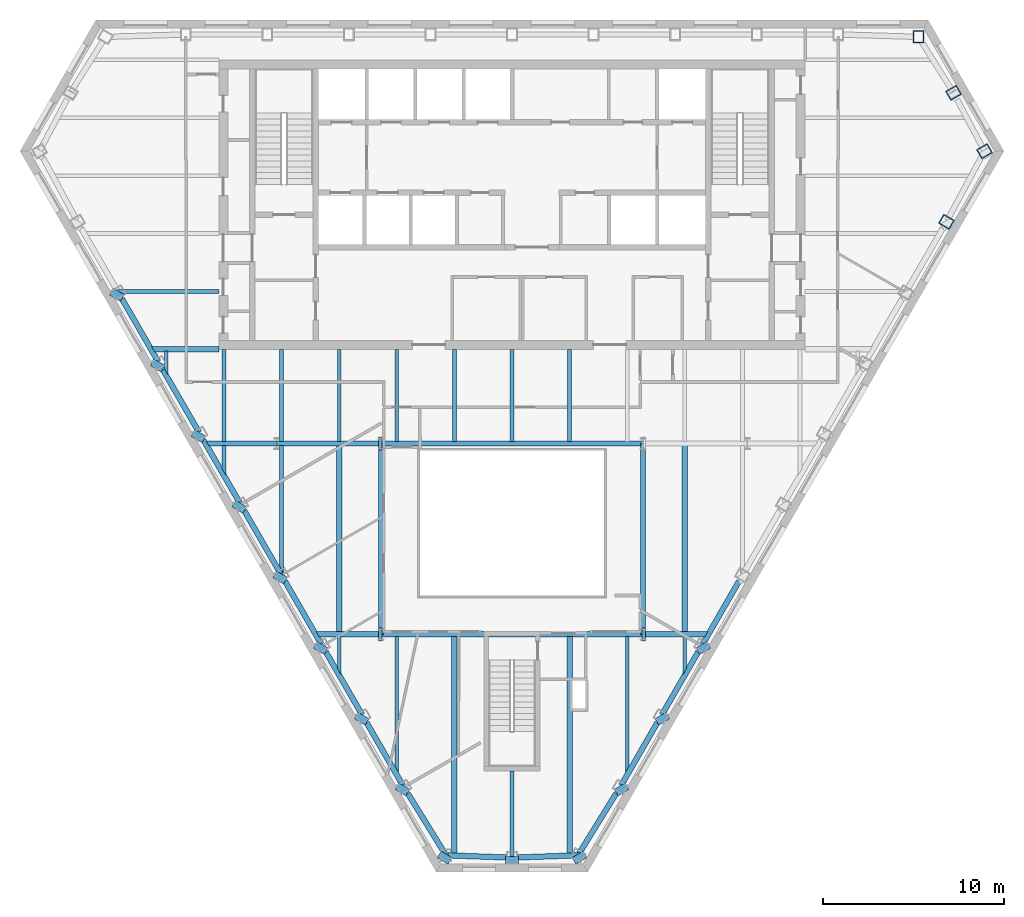
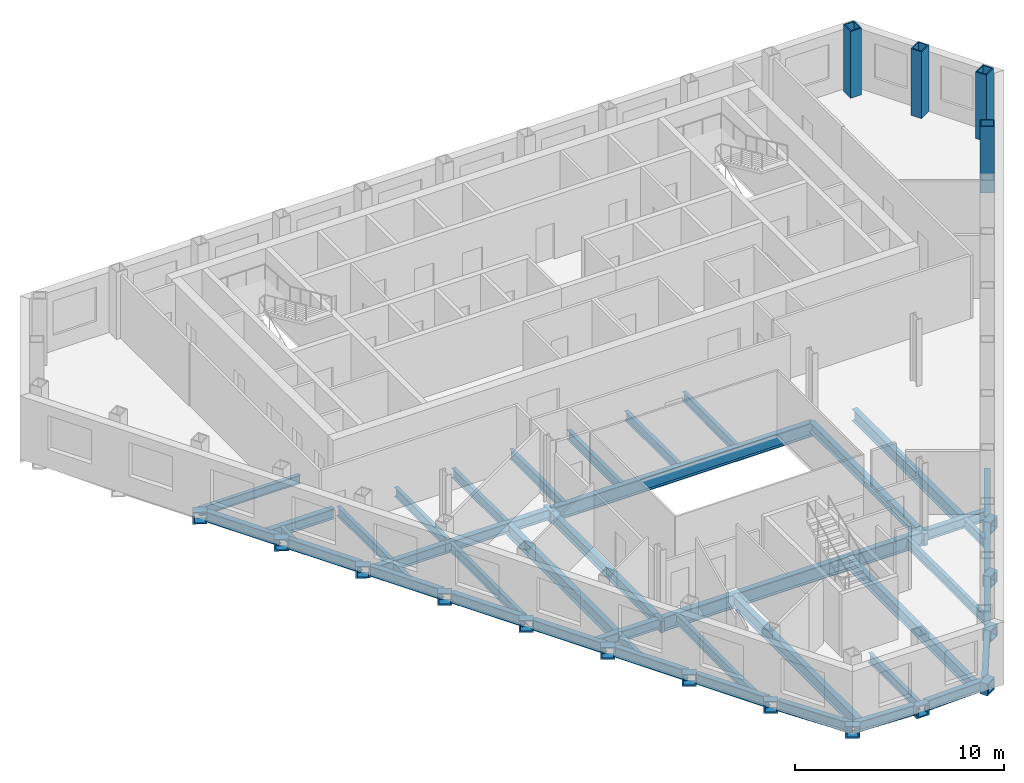
# One storey, part 2 of 11: 60 beams, 4 columns.
"""IFC4 building model written with IfcOpenShell, lengths in metres."""

from ifc_helpers import new_model, si_unit, direction, frame, origin, origin_2d, place, context, subcontext, project, spatial, hollow_rectangle, i_section, extrude, clip, halfspace, material, material_profile, profile_set, type_object, element, save


model = new_model("IFC4")

# Units and contexts
model_context = context("Model", 3, precision=1e-05, world=origin(), true_north=direction((0.0, 1.0)))
body_context = subcontext(model_context, "Body", "Model", "MODEL_VIEW")
ifc_project = project(units=[si_unit("LENGTHUNIT", "METRE"), si_unit("AREAUNIT", "SQUARE_METRE"), si_unit("VOLUMEUNIT", "CUBIC_METRE"), si_unit("PLANEANGLEUNIT", "RADIAN"), si_unit("MASSUNIT", "GRAM", prefix="KILO")], contexts=[model_context])

# Site, building, storey
site_placement = place(None, origin())
site = spatial("IfcSite", under=ifc_project, at=site_placement, CompositionType="ELEMENT")
building_placement = place(site_placement, origin())
building = spatial("IfcBuilding", under=site, at=building_placement, Name="Njiva Tower", CompositionType="ELEMENT")
storey_placement = place(building_placement, frame((0.0, 0.0, 163.2)))
storey = spatial("IfcBuildingStorey", under=building, at=storey_placement, Name="L35", CompositionType="ELEMENT", Elevation=163.2)

# Columns
ifc_material = material(Name="Steel S355 J2", Category="steel")
ifc_material_profile_1 = material_profile(ifc_material, hollow_rectangle(XDim=0.6, YDim=0.7, WallThickness=0.06, at=origin_2d()), Name="BOX 700x600x60")
ifc_profile_set_1 = profile_set([ifc_material_profile_1], Name="Steel S355 J2")
column_type = type_object("IfcColumnType", Name="C9 Perimeter tube column BOX 700x600x60", PredefinedType="COLUMN", material=ifc_profile_set_1)
for number, where, z_axis, x_axis, name in (
    (1, (22.461, 19.267, 0.0), (0.0, 0.0, 1.0), (-1.0, 0.0, 0.0), "Perimeter tube column S12-C01"),
    (2, (24.007, 9.048, 0.0), (0.0, 0.0, 1.0), (0.5, 0.866025403784, 0.0), "Perimeter tube column S12-C34"),
    (3, (26.108, 12.951, 0.0), (0.0, 0.0, 1.0), (-0.5, 0.866025403784, 0.0), "Perimeter tube column S12-C35"),
    (4, (24.4, 16.176, 0.0), (0.0, 0.0, 1.0), (-0.5, 0.866025403784, 0.0), "Perimeter tube column S12-C36"),
):
    element("IfcColumn", number, at=place(storey_placement, frame(where, z_axis=z_axis, x_axis=x_axis)), inside=storey, type_object=column_type, Name=name, PredefinedType="COLUMN", context=body_context, shape_type="SweptSolid", body=[
        extrude(hollow_rectangle(XDim=0.6, YDim=0.7, WallThickness=0.06, at=origin_2d()), origin(), (0.0, 0.0, 1.0), 3.9),
    ])

# Beams
ifc_material_profile_2 = material_profile(ifc_material, i_section(OverallWidth=0.3, OverallDepth=0.69, WebThickness=0.0145, FlangeThickness=0.027, at=origin_2d()), Name="HEA 700")
ifc_profile_set_2 = profile_set([ifc_material_profile_2], Name="Steel S355 J2")
beam_type_1 = type_object("IfcBeamType", Name="B12 Long-span floor joist HEA 700", PredefinedType="JOIST", material=ifc_profile_set_2)
beam_1_placement = place(storey_placement, frame((-9.55, -3.3, -0.545), z_axis=(0.0, -1.0, 0.0), x_axis=(1.0, 0.0, 0.0)))
element("IfcBeam", 5, at=beam_1_placement, inside=storey, type_object=beam_type_1, Name="Long-span floor joist S12-B057", PredefinedType="JOIST", context=body_context, shape_type="SweptSolid", body=[
    extrude(i_section(OverallWidth=0.3, OverallDepth=0.69, WebThickness=0.0145, FlangeThickness=0.027, at=origin_2d()), origin(), (0.0, 0.0, 1.0), 10.35),
])
for number, where, z_axis, x_axis, name in (
    (6, (-3.183, -13.851, -0.545), (0.0, -1.0, 0.0), (1.0, 0.0, 0.0), "Long-span floor joist S12-B061"),
    (7, (3.183, -13.851, -0.545), (0.0, -1.0, 0.0), (1.0, 0.0, 0.0), "Long-span floor joist S12-B066"),
):
    element("IfcBeam", number, at=place(storey_placement, frame(where, z_axis=z_axis, x_axis=x_axis)), inside=storey, type_object=beam_type_1, Name=name, PredefinedType="JOIST", context=body_context, shape_type="SweptSolid", body=[
        extrude(i_section(OverallWidth=0.3, OverallDepth=0.69, WebThickness=0.0145, FlangeThickness=0.027, at=origin_2d()), origin(), (0.0, 0.0, 1.0), 12.016),
    ])
beam_2_placement = place(storey_placement, frame((9.55, -3.3, -0.545), z_axis=(0.0, -1.0, 0.0), x_axis=(1.0, 0.0, 0.0)))
element("IfcBeam", 8, at=beam_2_placement, inside=storey, type_object=beam_type_1, Name="Long-span floor joist S12-B071", PredefinedType="JOIST", context=body_context, shape_type="SweptSolid", body=[
    extrude(i_section(OverallWidth=0.3, OverallDepth=0.69, WebThickness=0.0145, FlangeThickness=0.027, at=origin_2d()), origin(), (0.0, 0.0, 1.0), 10.35),
])
ifc_material_profile_3 = material_profile(ifc_material, hollow_rectangle(XDim=0.7, YDim=0.7, WallThickness=0.08, at=origin_2d()), Name="BOX 700x700x80")
ifc_profile_set_3 = profile_set([ifc_material_profile_3], Name="Steel S355 J2")
beam_type_2 = type_object("IfcBeamType", Name="B19 Column jog beam BOX 700x700x80", PredefinedType="BEAM", material=ifc_profile_set_3)
beam_3_placement = place(storey_placement, frame((-21.935, 4.825, -0.55), z_axis=(0.49437165503, 0.869250635147, 0.0), x_axis=(-0.869250635147, 0.49437165503, 0.0)))
element("IfcBeam", 9, at=beam_3_placement, inside=storey, type_object=beam_type_2, Name="Column jog beam S12-B024", PredefinedType="BEAM", context=body_context, shape_type="SweptSolid", body=[
    extrude(hollow_rectangle(XDim=0.7, YDim=0.7, WallThickness=0.08, at=origin_2d()), origin(), (0.0, 0.0, 1.0), 0.4268),
])
beam_4_placement = place(storey_placement, frame((-19.681, 0.922, -0.55), z_axis=(0.495380237546, 0.868676245933, 0.0), x_axis=(-0.868676245933, 0.495380237546, 0.0)))
element("IfcBeam", 10, at=beam_4_placement, inside=storey, type_object=beam_type_2, Name="Column jog beam S12-B025", PredefinedType="BEAM", context=body_context, shape_type="SweptSolid", body=[
    extrude(hollow_rectangle(XDim=0.7, YDim=0.7, WallThickness=0.08, at=origin_2d()), origin(), (0.0, 0.0, 1.0), 0.4259),
])
beam_5_placement = place(storey_placement, frame((-17.428, -2.981, -0.55), z_axis=(0.498162050838, 0.867083946977, 0.0), x_axis=(-0.867083946977, 0.498162050838, 0.0)))
element("IfcBeam", 11, at=beam_5_placement, inside=storey, type_object=beam_type_2, Name="Column jog beam S12-B026", PredefinedType="BEAM", context=body_context, shape_type="SweptSolid", body=[
    extrude(hollow_rectangle(XDim=0.7, YDim=0.7, WallThickness=0.08, at=origin_2d()), origin(), (0.0, 0.0, 1.0), 0.4256),
])
beam_6_placement = place(storey_placement, frame((-15.175, -6.883, -0.55), z_axis=(0.500943559977, 0.865479953388, 0.0), x_axis=(-0.865479953388, 0.500943559977, 0.0)))
element("IfcBeam", 12, at=beam_6_placement, inside=storey, type_object=beam_type_2, Name="Column jog beam S12-B027", PredefinedType="BEAM", context=body_context, shape_type="SweptSolid", body=[
    extrude(hollow_rectangle(XDim=0.7, YDim=0.7, WallThickness=0.08, at=origin_2d()), origin(), (0.0, 0.0, 1.0), 0.4252),
])
beam_7_placement = place(storey_placement, frame((-12.921, -10.786, -0.55), z_axis=(0.501964949025, 0.864887963814, 0.0), x_axis=(-0.864887963814, 0.501964949025, 0.0)))
element("IfcBeam", 13, at=beam_7_placement, inside=storey, type_object=beam_type_2, Name="Column jog beam S12-B028", PredefinedType="BEAM", context=body_context, shape_type="SweptSolid", body=[
    extrude(hollow_rectangle(XDim=0.7, YDim=0.7, WallThickness=0.08, at=origin_2d()), origin(), (0.0, 0.0, 1.0), 0.4243),
])
beam_8_placement = place(storey_placement, frame((-10.668, -14.689, -0.55), z_axis=(0.502989806353, 0.86429234331, 0.0), x_axis=(-0.86429234331, 0.502989806353, 0.0)))
element("IfcBeam", 14, at=beam_8_placement, inside=storey, type_object=beam_type_2, Name="Column jog beam S12-B029", PredefinedType="BEAM", context=body_context, shape_type="SweptSolid", body=[
    extrude(hollow_rectangle(XDim=0.7, YDim=0.7, WallThickness=0.08, at=origin_2d()), origin(), (0.0, 0.0, 1.0), 0.4235),
])
beam_9_placement = place(storey_placement, frame((-8.415, -18.592, -0.55), z_axis=(0.504750674229, 0.863265171813, 0.0), x_axis=(-0.863265171813, 0.504750674229, 0.0)))
element("IfcBeam", 15, at=beam_9_placement, inside=storey, type_object=beam_type_2, Name="Column jog beam S12-B030", PredefinedType="BEAM", context=body_context, shape_type="SweptSolid", body=[
    extrude(hollow_rectangle(XDim=0.7, YDim=0.7, WallThickness=0.08, at=origin_2d()), origin(), (0.0, 0.0, 1.0), 0.424),
])
beam_10_placement = place(storey_placement, frame((-6.161, -22.495, -0.55), z_axis=(0.505780153596, 0.862662411508, 0.0), x_axis=(-0.862662411508, 0.505780153596, 0.0)))
element("IfcBeam", 16, at=beam_10_placement, inside=storey, type_object=beam_type_2, Name="Column jog beam S12-B033", PredefinedType="BEAM", context=body_context, shape_type="SweptSolid", body=[
    extrude(hollow_rectangle(XDim=0.7, YDim=0.7, WallThickness=0.08, at=origin_2d()), origin(), (0.0, 0.0, 1.0), 0.4231),
])
beam_11_placement = place(storey_placement, frame((-3.832, -26.263, -0.55), z_axis=(0.515193868747, 0.857073671049, 0.0), x_axis=(-0.857073671049, 0.515193868747, 0.0)))
element("IfcBeam", 17, at=beam_11_placement, inside=storey, type_object=beam_type_2, Name="Column jog beam S12-B034", PredefinedType="BEAM", context=body_context, shape_type="SweptSolid", body=[
    extrude(hollow_rectangle(XDim=0.7, YDim=0.7, WallThickness=0.08, at=origin_2d()), origin(), (0.0, 0.0, 1.0), 0.4212),
])
beam_12_placement = place(storey_placement, frame((0.0, -26.406, -0.55), z_axis=(0.0, 1.0, 0.0), x_axis=(-1.0, 0.0, 0.0)))
element("IfcBeam", 18, at=beam_12_placement, inside=storey, type_object=beam_type_2, Name="Column jog beam S12-B035", PredefinedType="BEAM", context=body_context, shape_type="SweptSolid", body=[
    extrude(hollow_rectangle(XDim=0.7, YDim=0.7, WallThickness=0.08, at=origin_2d()), origin(), (0.0, 0.0, 1.0), 0.38),
])
beam_13_placement = place(storey_placement, frame((3.832, -26.263, -0.55), z_axis=(-0.515193868747, 0.857073671049, 0.0), x_axis=(-0.857073671049, -0.515193868747, 0.0)))
element("IfcBeam", 19, at=beam_13_placement, inside=storey, type_object=beam_type_2, Name="Column jog beam S12-B036", PredefinedType="BEAM", context=body_context, shape_type="SweptSolid", body=[
    extrude(hollow_rectangle(XDim=0.7, YDim=0.7, WallThickness=0.08, at=origin_2d()), origin(), (0.0, 0.0, 1.0), 0.4212),
])
beam_14_placement = place(storey_placement, frame((6.161, -22.495, -0.55), z_axis=(-0.505780153596, 0.862662411508, 0.0), x_axis=(-0.862662411508, -0.505780153596, 0.0)))
element("IfcBeam", 20, at=beam_14_placement, inside=storey, type_object=beam_type_2, Name="Column jog beam S12-B037", PredefinedType="BEAM", context=body_context, shape_type="SweptSolid", body=[
    extrude(hollow_rectangle(XDim=0.7, YDim=0.7, WallThickness=0.08, at=origin_2d()), origin(), (0.0, 0.0, 1.0), 0.4231),
])
beam_15_placement = place(storey_placement, frame((8.415, -18.592, -0.55), z_axis=(-0.504750674229, 0.863265171813, 0.0), x_axis=(-0.863265171813, -0.504750674229, 0.0)))
element("IfcBeam", 21, at=beam_15_placement, inside=storey, type_object=beam_type_2, Name="Column jog beam S12-B040", PredefinedType="BEAM", context=body_context, shape_type="SweptSolid", body=[
    extrude(hollow_rectangle(XDim=0.7, YDim=0.7, WallThickness=0.08, at=origin_2d()), origin(), (0.0, 0.0, 1.0), 0.424),
])
beam_16_placement = place(storey_placement, frame((10.668, -14.689, -0.55), z_axis=(-0.502989806353, 0.86429234331, 0.0), x_axis=(-0.86429234331, -0.502989806353, 0.0)))
element("IfcBeam", 22, at=beam_16_placement, inside=storey, type_object=beam_type_2, Name="Column jog beam S12-B041", PredefinedType="BEAM", context=body_context, shape_type="SweptSolid", body=[
    extrude(hollow_rectangle(XDim=0.7, YDim=0.7, WallThickness=0.08, at=origin_2d()), origin(), (0.0, 0.0, 1.0), 0.4235),
])
for number, where, z_axis, x_axis, name in (
    (23, (-7.38, -3.2, -0.55), (1.0, 0.0, 0.0), (0.0, 1.0, 0.0), "Column jog beam S12-B032"),
    (24, (7.38, -13.75, -0.55), (-1.0, 0.0, 0.0), (0.0, -1.0, 0.0), "Column jog beam S12-B038"),
    (25, (-7.38, -13.75, -0.55), (1.0, 0.0, 0.0), (0.0, 1.0, 0.0), "Column jog beam S12-B031"),
):
    element("IfcBeam", number, at=place(storey_placement, frame(where, z_axis=z_axis, x_axis=x_axis)), inside=storey, type_object=beam_type_2, Name=name, PredefinedType="BEAM", context=body_context, shape_type="SweptSolid", body=[
        extrude(hollow_rectangle(XDim=0.7, YDim=0.7, WallThickness=0.08, at=origin_2d()), origin(), (0.0, 0.0, 1.0), 0.2),
    ])
ifc_material_profile_4 = material_profile(ifc_material, i_section(OverallWidth=0.2, OverallDepth=0.5, WebThickness=0.0102, FlangeThickness=0.016, at=origin_2d()), Name="IPE 500")
ifc_profile_set_4 = profile_set([ifc_material_profile_4], Name="Steel S355 J2")
beam_type_3 = type_object("IfcBeamType", Name="B24 Floor beam to the core IPE 500", PredefinedType="BEAM", material=ifc_profile_set_4)
beam_17_placement = place(storey_placement, frame((-21.823, 5.2, -0.45), z_axis=(1.0, 0.0, 0.0), x_axis=(0.0, 1.0, 0.0)))
element("IfcBeam", 26, at=beam_17_placement, inside=storey, type_object=beam_type_3, Name="Floor beam to the core S12-B005", PredefinedType="BEAM", context=body_context, shape_type="Clipping", body=[
    clip(extrude(i_section(OverallWidth=0.2, OverallDepth=0.5, WebThickness=0.0102, FlangeThickness=0.016, at=origin_2d()), origin(), (0.0, 0.0, 1.0), 5.623), halfspace(frame((-0.025, 0.0, 0.0924), z_axis=(-0.499998009787, 0.0, -0.866026552831), x_axis=(0.0, -1.0, 0.0)), False)),
])
ifc_material_profile_5 = material_profile(ifc_material, i_section(OverallWidth=0.3, OverallDepth=0.59, WebThickness=0.013, FlangeThickness=0.025, at=origin_2d()), Name="HEA 600")
ifc_profile_set_5 = profile_set([ifc_material_profile_5], Name="Steel S355 J2")
beam_type_4 = type_object("IfcBeamType", Name="B27 Short-span spandrel beam HEA 600", PredefinedType="SPANDREL", material=ifc_profile_set_5)
beam_18_placement = place(storey_placement, frame((-21.551, 4.793, -0.495), z_axis=(0.500003221507, -0.866023543838, 0.0), x_axis=(0.866023543838, 0.500003221507, 0.0)))
element("IfcBeam", 27, at=beam_18_placement, inside=storey, type_object=beam_type_4, Name="Short-span spandrel beam S12-B096", PredefinedType="SPANDREL", context=body_context, shape_type="SweptSolid", body=[
    extrude(i_section(OverallWidth=0.3, OverallDepth=0.59, WebThickness=0.013, FlangeThickness=0.025, at=origin_2d()), origin(), (0.0, 0.0, 1.0), 4.008),
])
beam_19_placement = place(storey_placement, frame((-19.297, 0.89, -0.495), z_axis=(0.499924104568, -0.866069217599, 0.0), x_axis=(0.866069217599, 0.499924104568, 0.0)))
element("IfcBeam", 28, at=beam_19_placement, inside=storey, type_object=beam_type_4, Name="Short-span spandrel beam S12-B098", PredefinedType="SPANDREL", context=body_context, shape_type="SweptSolid", body=[
    extrude(i_section(OverallWidth=0.3, OverallDepth=0.59, WebThickness=0.013, FlangeThickness=0.025, at=origin_2d()), origin(), (0.0, 0.0, 1.0), 4.0066),
])
beam_20_placement = place(storey_placement, frame((-17.044, -3.013, -0.495), z_axis=(0.500032187732, -0.866006819391, 0.0), x_axis=(0.866006819391, 0.500032187732, 0.0)))
element("IfcBeam", 29, at=beam_20_placement, inside=storey, type_object=beam_type_4, Name="Short-span spandrel beam S12-B101", PredefinedType="SPANDREL", context=body_context, shape_type="SweptSolid", body=[
    extrude(i_section(OverallWidth=0.3, OverallDepth=0.59, WebThickness=0.013, FlangeThickness=0.025, at=origin_2d()), origin(), (0.0, 0.0, 1.0), 4.0057),
])
beam_21_placement = place(storey_placement, frame((-14.791, -6.915, -0.495), z_axis=(0.499816060339, -0.866131575355, 0.0), x_axis=(0.866131575355, 0.499816060339, 0.0)))
element("IfcBeam", 30, at=beam_21_placement, inside=storey, type_object=beam_type_4, Name="Short-span spandrel beam S12-B103", PredefinedType="SPANDREL", context=body_context, shape_type="SweptSolid", body=[
    extrude(i_section(OverallWidth=0.3, OverallDepth=0.59, WebThickness=0.013, FlangeThickness=0.025, at=origin_2d()), origin(), (0.0, 0.0, 1.0), 4.0075),
])
beam_22_placement = place(storey_placement, frame((-12.538, -10.819, -0.495), z_axis=(0.500219375865, -0.865898710017, 0.0), x_axis=(0.865898710017, 0.500219375865, 0.0)))
element("IfcBeam", 31, at=beam_22_placement, inside=storey, type_object=beam_type_4, Name="Short-span spandrel beam S12-B106", PredefinedType="SPANDREL", context=body_context, shape_type="SweptSolid", body=[
    extrude(i_section(OverallWidth=0.3, OverallDepth=0.59, WebThickness=0.013, FlangeThickness=0.025, at=origin_2d()), origin(), (0.0, 0.0, 1.0), 4.0062),
])
beam_23_placement = place(storey_placement, frame((-10.284, -14.721, -0.495), z_axis=(0.499924104568, -0.866069217599, 0.0), x_axis=(0.866069217599, 0.499924104568, 0.0)))
element("IfcBeam", 32, at=beam_23_placement, inside=storey, type_object=beam_type_4, Name="Short-span spandrel beam S12-B108", PredefinedType="SPANDREL", context=body_context, shape_type="SweptSolid", body=[
    extrude(i_section(OverallWidth=0.3, OverallDepth=0.59, WebThickness=0.013, FlangeThickness=0.025, at=origin_2d()), origin(), (0.0, 0.0, 1.0), 4.0066),
])
beam_24_placement = place(storey_placement, frame((-8.031, -18.624, -0.495), z_axis=(0.500003221507, -0.866023543838, 0.0), x_axis=(0.866023543838, 0.500003221507, 0.0)))
element("IfcBeam", 33, at=beam_24_placement, inside=storey, type_object=beam_type_4, Name="Short-span spandrel beam S12-B112", PredefinedType="SPANDREL", context=body_context, shape_type="SweptSolid", body=[
    extrude(i_section(OverallWidth=0.3, OverallDepth=0.59, WebThickness=0.013, FlangeThickness=0.025, at=origin_2d()), origin(), (0.0, 0.0, 1.0), 4.008),
])
beam_25_placement = place(storey_placement, frame((-5.766, -22.523, -0.495), z_axis=(0.525818795856, -0.850596610576, 0.0), x_axis=(0.850596610576, 0.525818795856, 0.0)))
element("IfcBeam", 34, at=beam_25_placement, inside=storey, type_object=beam_type_4, Name="Short-span spandrel beam S12-B114", PredefinedType="SPANDREL", context=body_context, shape_type="Clipping", body=[
    clip(extrude(i_section(OverallWidth=0.3, OverallDepth=0.59, WebThickness=0.013, FlangeThickness=0.025, at=origin_2d()), origin(), (0.0, 0.0, 1.0), 4.0973), halfspace(frame((-0.0266, 0.0, 3.9678), z_axis=(-0.525818795856, 0.0, 0.850596610576), x_axis=(0.0, 1.0, 0.0)), False)),
])
beam_26_placement = place(storey_placement, frame((-3.546, -25.956, -0.495), z_axis=(0.99932600866, -0.036708696736, 0.0), x_axis=(0.036708696736, 0.99932600866, 0.0)))
element("IfcBeam", 35, at=beam_26_placement, inside=storey, type_object=beam_type_4, Name="Short-span spandrel beam S12-B116", PredefinedType="SPANDREL", context=body_context, shape_type="SweptSolid", body=[
    extrude(i_section(OverallWidth=0.3, OverallDepth=0.59, WebThickness=0.013, FlangeThickness=0.025, at=origin_2d()), origin(), (0.0, 0.0, 1.0), 3.2962),
])
beam_27_placement = place(storey_placement, frame((0.252, -26.077, -0.495), z_axis=(0.999327034498, 0.036680759547, 0.0), x_axis=(-0.036680759547, 0.999327034498, 0.0)))
element("IfcBeam", 36, at=beam_27_placement, inside=storey, type_object=beam_type_4, Name="Short-span spandrel beam S12-B119", PredefinedType="SPANDREL", context=body_context, shape_type="Clipping", body=[
    clip(extrude(i_section(OverallWidth=0.3, OverallDepth=0.59, WebThickness=0.013, FlangeThickness=0.025, at=origin_2d()), origin(), (0.0, 0.0, 1.0), 3.4673), halfspace(frame((-0.0268, 0.0, 3.337), z_axis=(-0.531428040121, 0.0, 0.847103440067), x_axis=(0.0, 1.0, 0.0)), False)),
])
beam_28_placement = place(storey_placement, frame((3.702, -25.862, -0.495), z_axis=(0.525801990436, 0.850606999062, 0.0), x_axis=(-0.850606999062, 0.525801990436, 0.0)))
element("IfcBeam", 37, at=beam_28_placement, inside=storey, type_object=beam_type_4, Name="Short-span spandrel beam S12-B121", PredefinedType="SPANDREL", context=body_context, shape_type="SweptSolid", body=[
    extrude(i_section(OverallWidth=0.3, OverallDepth=0.59, WebThickness=0.013, FlangeThickness=0.025, at=origin_2d()), origin(), (0.0, 0.0, 1.0), 3.9254),
])
beam_29_placement = place(storey_placement, frame((6.027, -22.095, -0.495), z_axis=(0.500003221507, 0.866023543838, 0.0), x_axis=(-0.866023543838, 0.500003221507, 0.0)))
element("IfcBeam", 38, at=beam_29_placement, inside=storey, type_object=beam_type_4, Name="Short-span spandrel beam S12-B125", PredefinedType="SPANDREL", context=body_context, shape_type="SweptSolid", body=[
    extrude(i_section(OverallWidth=0.3, OverallDepth=0.59, WebThickness=0.013, FlangeThickness=0.025, at=origin_2d()), origin(), (0.0, 0.0, 1.0), 4.008),
])
beam_30_placement = place(storey_placement, frame((8.281, -18.191, -0.495), z_axis=(0.499924104568, 0.866069217599, 0.0), x_axis=(-0.866069217599, 0.499924104568, 0.0)))
element("IfcBeam", 39, at=beam_30_placement, inside=storey, type_object=beam_type_4, Name="Short-span spandrel beam S12-B127", PredefinedType="SPANDREL", context=body_context, shape_type="SweptSolid", body=[
    extrude(i_section(OverallWidth=0.3, OverallDepth=0.59, WebThickness=0.013, FlangeThickness=0.025, at=origin_2d()), origin(), (0.0, 0.0, 1.0), 4.0066),
])
beam_31_placement = place(storey_placement, frame((10.534, -14.288, -0.495), z_axis=(0.500219375865, 0.865898710017, 0.0), x_axis=(-0.865898710017, 0.500219375865, 0.0)))
element("IfcBeam", 40, at=beam_31_placement, inside=storey, type_object=beam_type_4, Name="Short-span spandrel beam S12-B130", PredefinedType="SPANDREL", context=body_context, shape_type="SweptSolid", body=[
    extrude(i_section(OverallWidth=0.3, OverallDepth=0.59, WebThickness=0.013, FlangeThickness=0.025, at=origin_2d()), origin(), (0.0, 0.0, 1.0), 4.0062),
])
ifc_material_profile_6 = material_profile(ifc_material, i_section(OverallWidth=0.3, OverallDepth=0.59, WebThickness=0.013, FlangeThickness=0.025, at=origin_2d()), Name="HEA 600")
ifc_profile_set_6 = profile_set([ifc_material_profile_6], Name="Steel S355 J2")
beam_type_5 = type_object("IfcBeamType", Name="B28 Floor girder HEA 600", PredefinedType="BEAM", material=ifc_profile_set_6)
beam_32_placement = place(storey_placement, frame((-13.0, -3.2, -0.495), z_axis=(1.0, 0.0, 0.0), x_axis=(0.0, 1.0, 0.0)))
element("IfcBeam", 41, at=beam_32_placement, inside=storey, type_object=beam_type_5, Name="Floor girder S12-B015", PredefinedType="BEAM", context=body_context, shape_type="SweptSolid", body=[
    extrude(i_section(OverallWidth=0.3, OverallDepth=0.59, WebThickness=0.013, FlangeThickness=0.025, at=origin_2d()), origin(), (0.0, 0.0, 1.0), 5.76),
])
ifc_material_profile_7 = material_profile(ifc_material, i_section(OverallWidth=0.3, OverallDepth=0.59, WebThickness=0.013, FlangeThickness=0.025, at=origin_2d()), Name="HEA 600")
ifc_profile_set_7 = profile_set([ifc_material_profile_7], Name="Steel S355 J2")
beam_type_6 = type_object("IfcBeamType", Name="B29 Short-span floor girder HEA 600", PredefinedType="BEAM", material=ifc_profile_set_7)
beam_33_placement = place(storey_placement, frame((-16.928, -3.2, -0.495), z_axis=(1.0, 0.0, 0.0), x_axis=(0.0, 1.0, 0.0)))
element("IfcBeam", 42, at=beam_33_placement, inside=storey, type_object=beam_type_6, Name="Short-span floor girder S12-B014", PredefinedType="BEAM", context=body_context, shape_type="Clipping", body=[
    clip(extrude(i_section(OverallWidth=0.3, OverallDepth=0.59, WebThickness=0.013, FlangeThickness=0.025, at=origin_2d()), origin(), (0.0, 0.0, 1.0), 3.928), halfspace(frame((-0.025, 0.0, 0.1217), z_axis=(-0.499998009787, 0.0, -0.866026552831), x_axis=(0.0, -1.0, 0.0)), False)),
])
beam_34_placement = place(storey_placement, frame((-10.837, -13.75, -0.495), z_axis=(1.0, 0.0, 0.0), x_axis=(0.0, 1.0, 0.0)))
element("IfcBeam", 43, at=beam_34_placement, inside=storey, type_object=beam_type_6, Name="Short-span floor girder S12-B016", PredefinedType="BEAM", context=body_context, shape_type="Clipping", body=[
    clip(extrude(i_section(OverallWidth=0.3, OverallDepth=0.59, WebThickness=0.013, FlangeThickness=0.025, at=origin_2d()), origin(), (0.0, 0.0, 1.0), 3.597), halfspace(frame((-0.025, 0.0, 0.1217), z_axis=(-0.499998009787, 0.0, -0.866026552831), x_axis=(0.0, -1.0, 0.0)), False)),
])
beam_35_placement = place(storey_placement, frame((7.24, -13.75, -0.495), z_axis=(1.0, 0.0, 0.0), x_axis=(0.0, 1.0, 0.0)))
element("IfcBeam", 44, at=beam_35_placement, inside=storey, type_object=beam_type_6, Name="Short-span floor girder S12-B017", PredefinedType="BEAM", context=body_context, shape_type="Clipping", body=[
    clip(extrude(i_section(OverallWidth=0.3, OverallDepth=0.59, WebThickness=0.013, FlangeThickness=0.025, at=origin_2d()), origin(), (0.0, 0.0, 1.0), 3.597), halfspace(frame((-0.025, 0.0, 3.4753), z_axis=(-0.499998009787, 0.0, 0.866026552831), x_axis=(0.0, 1.0, 0.0)), False)),
])
beam_36_placement = place(storey_placement, frame((-19.93, 2.0, -0.495), z_axis=(1.0, 0.0, 0.0), x_axis=(0.0, 1.0, 0.0)))
element("IfcBeam", 45, at=beam_36_placement, inside=storey, type_object=beam_type_6, Name="Short-span floor girder S12-B013", PredefinedType="BEAM", context=body_context, shape_type="Clipping", body=[
    clip(extrude(i_section(OverallWidth=0.3, OverallDepth=0.59, WebThickness=0.013, FlangeThickness=0.025, at=origin_2d()), origin(), (0.0, 0.0, 1.0), 3.73), halfspace(frame((-0.025, 0.0, 0.1214), z_axis=(-0.499998009787, 0.0, -0.866026552831), x_axis=(0.0, -1.0, 0.0)), False)),
])
ifc_material_profile_8 = material_profile(ifc_material, i_section(OverallWidth=0.3, OverallDepth=0.59, WebThickness=0.013, FlangeThickness=0.025, at=origin_2d()), Name="HEA 600")
ifc_profile_set_8 = profile_set([ifc_material_profile_8], Name="Steel S355 J2")
beam_type_7 = type_object("IfcBeamType", Name="B30 Long-span atrium trimmer beam HEA 600", PredefinedType="BEAM", material=ifc_profile_set_8)
for number, where, z_axis, x_axis, name in (
    (46, (7.24, -13.75, -0.495), (0.0, 1.0, 0.0), (-1.0, 0.0, 0.0), "Long-span atrium trimmer beam S12-B083"),
    (47, (-7.24, -3.2, -0.495), (0.0, -1.0, 0.0), (1.0, 0.0, 0.0), "Long-span atrium trimmer beam S12-B079"),
):
    element("IfcBeam", number, at=place(storey_placement, frame(where, z_axis=z_axis, x_axis=x_axis)), inside=storey, type_object=beam_type_7, Name=name, PredefinedType="BEAM", context=body_context, shape_type="SweptSolid", body=[
        extrude(i_section(OverallWidth=0.3, OverallDepth=0.59, WebThickness=0.013, FlangeThickness=0.025, at=origin_2d()), origin(), (0.0, 0.0, 1.0), 10.55),
    ])
ifc_material_profile_9 = material_profile(ifc_material, i_section(OverallWidth=0.21, OverallDepth=0.55, WebThickness=0.0111, FlangeThickness=0.0172, at=origin_2d()), Name="IPE 550")
ifc_profile_set_9 = profile_set([ifc_material_profile_9], Name="Steel S355 J2")
beam_type_8 = type_object("IfcBeamType", Name="B31 Short-span floor joist IPE 550", PredefinedType="JOIST", material=ifc_profile_set_9)
beam_37_placement = place(storey_placement, frame((-19.1, 1.9, -0.475), z_axis=(0.0, -1.0, 0.0), x_axis=(1.0, 0.0, 0.0)))
element("IfcBeam", 48, at=beam_37_placement, inside=storey, type_object=beam_type_8, Name="Short-span floor joist S12-B050", PredefinedType="JOIST", context=body_context, shape_type="Clipping", body=[
    clip(extrude(i_section(OverallWidth=0.21, OverallDepth=0.55, WebThickness=0.0111, FlangeThickness=0.0172, at=origin_2d()), origin(), (0.0, 0.0, 1.0), 1.354), halfspace(frame((-0.0433, 0.0, 1.0773), z_axis=(-0.866026552831, 0.0, 0.499998009787), x_axis=(0.0, 1.0, 0.0)), False)),
])
beam_38_placement = place(storey_placement, frame((-15.917, -3.3, -0.475), z_axis=(0.0, -1.0, 0.0), x_axis=(1.0, 0.0, 0.0)))
element("IfcBeam", 49, at=beam_38_placement, inside=storey, type_object=beam_type_8, Name="Short-span floor joist S12-B051", PredefinedType="JOIST", context=body_context, shape_type="Clipping", body=[
    clip(extrude(i_section(OverallWidth=0.21, OverallDepth=0.55, WebThickness=0.0111, FlangeThickness=0.0172, at=origin_2d()), origin(), (0.0, 0.0, 1.0), 1.668), halfspace(frame((-0.043, 0.0, 1.391), z_axis=(-0.866026552831, 0.0, 0.499998009787), x_axis=(0.0, 1.0, 0.0)), False)),
])
beam_39_placement = place(storey_placement, frame((-9.55, -13.85, -0.475), z_axis=(0.0, -1.0, 0.0), x_axis=(1.0, 0.0, 0.0)))
element("IfcBeam", 50, at=beam_39_placement, inside=storey, type_object=beam_type_8, Name="Short-span floor joist S12-B056", PredefinedType="JOIST", context=body_context, shape_type="Clipping", body=[
    clip(extrude(i_section(OverallWidth=0.21, OverallDepth=0.55, WebThickness=0.0111, FlangeThickness=0.0172, at=origin_2d()), origin(), (0.0, 0.0, 1.0), 2.145), halfspace(frame((-0.0433, 0.0, 1.8683), z_axis=(-0.866026552831, 0.0, 0.499998009787), x_axis=(0.0, 1.0, 0.0)), False)),
])
beam_40_placement = place(storey_placement, frame((9.55, -13.85, -0.475), z_axis=(0.0, -1.0, 0.0), x_axis=(1.0, 0.0, 0.0)))
element("IfcBeam", 51, at=beam_40_placement, inside=storey, type_object=beam_type_8, Name="Short-span floor joist S12-B070", PredefinedType="JOIST", context=body_context, shape_type="Clipping", body=[
    clip(extrude(i_section(OverallWidth=0.21, OverallDepth=0.55, WebThickness=0.0111, FlangeThickness=0.0172, at=origin_2d()), origin(), (0.0, 0.0, 1.0), 2.145), halfspace(frame((0.0433, 0.0, 1.8683), z_axis=(0.866026552831, 0.0, 0.499998009787), x_axis=(0.0, 1.0, 0.0)), False)),
])
ifc_material_profile_10 = material_profile(ifc_material, i_section(OverallWidth=0.21, OverallDepth=0.55, WebThickness=0.0111, FlangeThickness=0.0172, at=origin_2d()), Name="IPE 550")
ifc_profile_set_10 = profile_set([ifc_material_profile_10], Name="Steel S355 J2")
beam_type_9 = type_object("IfcBeamType", Name="B32 Floor joist IPE 550", PredefinedType="JOIST", material=ifc_profile_set_10)
for number, where, z_axis, x_axis, name in (
    (52, (-15.917, 1.995, -0.475), (0.0, -1.0, 0.0), (1.0, 0.0, 0.0), "Floor joist S12-B052"),
    (53, (-12.733, 1.995, -0.475), (0.0, -1.0, 0.0), (1.0, 0.0, 0.0), "Floor joist S12-B055"),
):
    element("IfcBeam", number, at=place(storey_placement, frame(where, z_axis=z_axis, x_axis=x_axis)), inside=storey, type_object=beam_type_9, Name=name, PredefinedType="JOIST", context=body_context, shape_type="SweptSolid", body=[
        extrude(i_section(OverallWidth=0.21, OverallDepth=0.55, WebThickness=0.0111, FlangeThickness=0.0172, at=origin_2d()), origin(), (0.0, 0.0, 1.0), 5.095),
    ])
beam_41_placement = place(storey_placement, frame((-12.733, -3.3, -0.475), z_axis=(0.0, -1.0, 0.0), x_axis=(1.0, 0.0, 0.0)))
element("IfcBeam", 54, at=beam_41_placement, inside=storey, type_object=beam_type_9, Name="Floor joist S12-B053", PredefinedType="JOIST", context=body_context, shape_type="Clipping", body=[
    clip(extrude(i_section(OverallWidth=0.21, OverallDepth=0.55, WebThickness=0.0111, FlangeThickness=0.0172, at=origin_2d()), origin(), (0.0, 0.0, 1.0), 7.309), halfspace(frame((-0.0436, 0.0, 7.0321), z_axis=(-0.866026552831, 0.0, 0.499998009787), x_axis=(0.0, 1.0, 0.0)), False)),
])
beam_42_placement = place(storey_placement, frame((-9.55, 1.995, -0.475), z_axis=(0.0, -1.0, 0.0), x_axis=(1.0, 0.0, 0.0)))
element("IfcBeam", 55, at=beam_42_placement, inside=storey, type_object=beam_type_9, Name="Floor joist S12-B058", PredefinedType="JOIST", context=body_context, shape_type="SweptSolid", body=[
    extrude(i_section(OverallWidth=0.21, OverallDepth=0.55, WebThickness=0.0111, FlangeThickness=0.0172, at=origin_2d()), origin(), (0.0, 0.0, 1.0), 5.095),
])
beam_43_placement = place(storey_placement, frame((-6.367, 1.995, -0.475), z_axis=(0.0, -1.0, 0.0), x_axis=(1.0, 0.0, 0.0)))
element("IfcBeam", 56, at=beam_43_placement, inside=storey, type_object=beam_type_9, Name="Floor joist S12-B060", PredefinedType="JOIST", context=body_context, shape_type="SweptSolid", body=[
    extrude(i_section(OverallWidth=0.21, OverallDepth=0.55, WebThickness=0.0111, FlangeThickness=0.0172, at=origin_2d()), origin(), (0.0, 0.0, 1.0), 5.094),
])
beam_44_placement = place(storey_placement, frame((-6.367, -13.851, -0.475), z_axis=(0.0, -1.0, 0.0), x_axis=(1.0, 0.0, 0.0)))
element("IfcBeam", 57, at=beam_44_placement, inside=storey, type_object=beam_type_9, Name="Floor joist S12-B059", PredefinedType="JOIST", context=body_context, shape_type="Clipping", body=[
    clip(extrude(i_section(OverallWidth=0.21, OverallDepth=0.55, WebThickness=0.0111, FlangeThickness=0.0172, at=origin_2d()), origin(), (0.0, 0.0, 1.0), 7.658), halfspace(frame((-0.043, 0.0, 7.381), z_axis=(-0.866026552831, 0.0, 0.499998009787), x_axis=(0.0, 1.0, 0.0)), False)),
])
for number, where, z_axis, x_axis, name in (
    (58, (-3.183, 1.995, -0.475), (0.0, -1.0, 0.0), (1.0, 0.0, 0.0), "Floor joist S12-B062"),
    (59, (0.0, 1.995, -0.475), (0.0, -1.0, 0.0), (1.0, 0.0, 0.0), "Floor joist S12-B065"),
):
    element("IfcBeam", number, at=place(storey_placement, frame(where, z_axis=z_axis, x_axis=x_axis)), inside=storey, type_object=beam_type_9, Name=name, PredefinedType="JOIST", context=body_context, shape_type="SweptSolid", body=[
        extrude(i_section(OverallWidth=0.21, OverallDepth=0.55, WebThickness=0.0111, FlangeThickness=0.0172, at=origin_2d()), origin(), (0.0, 0.0, 1.0), 5.094),
    ])
beam_45_placement = place(storey_placement, frame((0.0, -21.3, -0.475), z_axis=(0.0, -1.0, 0.0), x_axis=(1.0, 0.0, 0.0)))
element("IfcBeam", 60, at=beam_45_placement, inside=storey, type_object=beam_type_9, Name="Floor joist S12-B063", PredefinedType="JOIST", context=body_context, shape_type="SweptSolid", body=[
    extrude(i_section(OverallWidth=0.21, OverallDepth=0.55, WebThickness=0.0111, FlangeThickness=0.0172, at=origin_2d()), origin(), (0.0, 0.0, 1.0), 4.746),
])
beam_46_placement = place(storey_placement, frame((3.183, 1.995, -0.475), z_axis=(0.0, -1.0, 0.0), x_axis=(1.0, 0.0, 0.0)))
element("IfcBeam", 61, at=beam_46_placement, inside=storey, type_object=beam_type_9, Name="Floor joist S12-B067", PredefinedType="JOIST", context=body_context, shape_type="SweptSolid", body=[
    extrude(i_section(OverallWidth=0.21, OverallDepth=0.55, WebThickness=0.0111, FlangeThickness=0.0172, at=origin_2d()), origin(), (0.0, 0.0, 1.0), 5.094),
])
beam_47_placement = place(storey_placement, frame((6.367, -13.851, -0.475), z_axis=(0.0, -1.0, 0.0), x_axis=(1.0, 0.0, 0.0)))
element("IfcBeam", 62, at=beam_47_placement, inside=storey, type_object=beam_type_9, Name="Floor joist S12-B068", PredefinedType="JOIST", context=body_context, shape_type="Clipping", body=[
    clip(extrude(i_section(OverallWidth=0.21, OverallDepth=0.55, WebThickness=0.0111, FlangeThickness=0.0172, at=origin_2d()), origin(), (0.0, 0.0, 1.0), 7.658), halfspace(frame((0.043, 0.0, 7.381), z_axis=(0.866026552831, 0.0, 0.499998009787), x_axis=(0.0, 1.0, 0.0)), False)),
])
ifc_material_profile_11 = material_profile(ifc_material, i_section(OverallWidth=0.303, OverallDepth=0.814, WebThickness=0.021, FlangeThickness=0.04, at=origin_2d()), Name="HEM 800")
ifc_profile_set_11 = profile_set([ifc_material_profile_11], Name="Steel S355 J2")
beam_type_10 = type_object("IfcBeamType", Name="B36 Long-span atrium trimmer beam HEM 800", PredefinedType="BEAM", material=ifc_profile_set_11)
for number, where, z_axis, x_axis, name in (
    (63, (-7.24, -13.75, -0.607), (1.0, 0.0, 0.0), (0.0, 1.0, 0.0), "Long-span atrium trimmer beam S12-B080"),
    (64, (7.24, -3.2, -0.607), (-1.0, 0.0, 0.0), (0.0, -1.0, 0.0), "Long-span atrium trimmer beam S12-B082"),
):
    element("IfcBeam", number, at=place(storey_placement, frame(where, z_axis=z_axis, x_axis=x_axis)), inside=storey, type_object=beam_type_10, Name=name, PredefinedType="BEAM", context=body_context, shape_type="SweptSolid", body=[
        extrude(i_section(OverallWidth=0.303, OverallDepth=0.814, WebThickness=0.021, FlangeThickness=0.04, at=origin_2d()), origin(), (0.0, 0.0, 1.0), 14.48),
    ])

save(model, "model.ifc")
